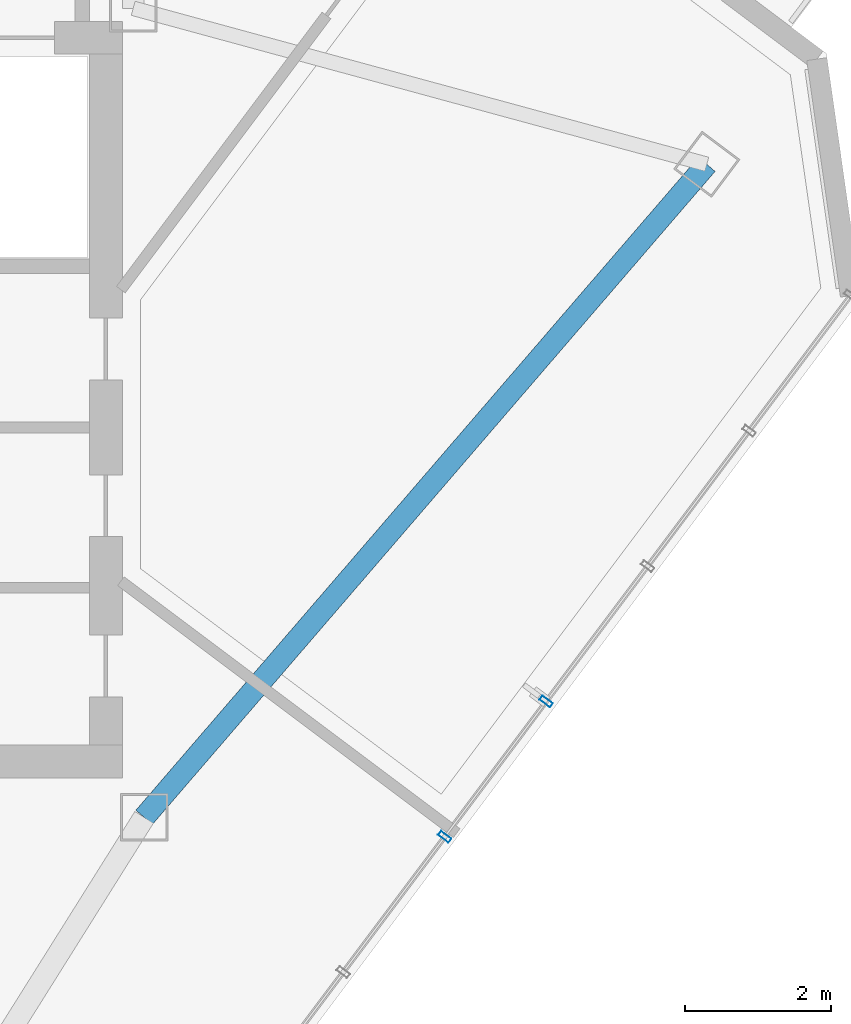
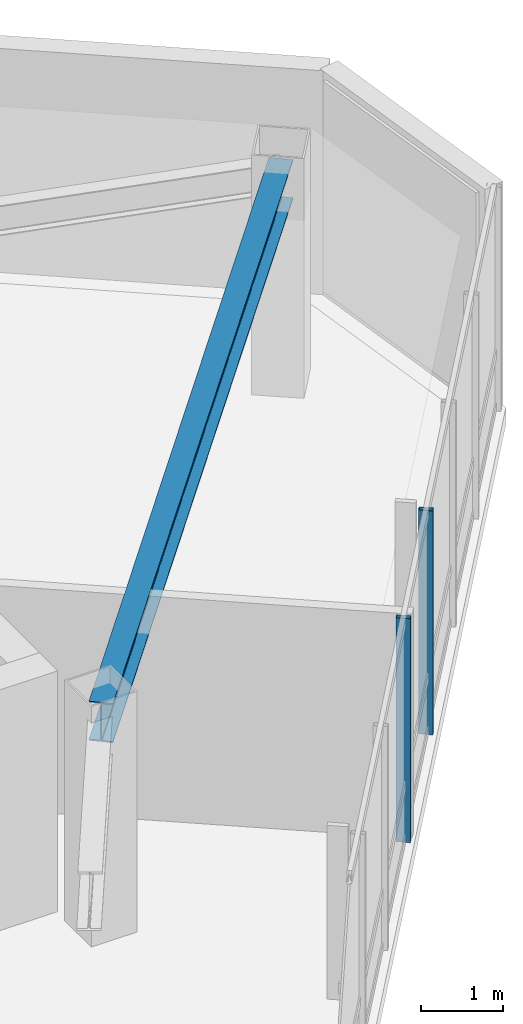
# One storey, part 7 of 18: 2 members, 1 beam, 1 element without a shape of its own.
"""IFC4 building model written with IfcOpenShell, lengths in metres."""

from ifc_helpers import new_model, si_unit, direction, frame, origin, origin_2d, place, context, subcontext, project, spatial, hollow_rectangle, i_section, extrude, material, layer, layer_set, material_profile, profile_set, type_object, element, aggregate, save


model = new_model("IFC4")

# Units and contexts
model_context = context("Model", 3, precision=1e-05, world=origin(), true_north=direction((0.0, 1.0)))
body_context = subcontext(model_context, "Body", "Model", "MODEL_VIEW")
ifc_project = project(units=[si_unit("LENGTHUNIT", "METRE"), si_unit("AREAUNIT", "SQUARE_METRE"), si_unit("VOLUMEUNIT", "CUBIC_METRE"), si_unit("PLANEANGLEUNIT", "RADIAN"), si_unit("MASSUNIT", "GRAM", prefix="KILO")], contexts=[model_context])

# Site, building, storey
site_placement = place(None, origin())
site = spatial("IfcSite", under=ifc_project, at=site_placement, CompositionType="ELEMENT")
building_placement = place(site_placement, origin())
building = spatial("IfcBuilding", under=site, at=building_placement, Name="Hatsunagi Terrace Concourse", CompositionType="ELEMENT")
storey_placement = place(building_placement, frame((0.0, 0.0, 250.35009765625)))
storey = spatial("IfcBuildingStorey", under=building, at=storey_placement, Name="L66", CompositionType="ELEMENT", Elevation=250.35009765625)

# Curtain wall, members
ifc_material_1 = material(Name="Anodised Aluminium Alloy 6063-T5", Category="aluminium")
ifc_layer = layer(ifc_material_1, 0.199951171875)
ifc_layer_set = layer_set([ifc_layer], Name="OfficeZone2_CW04")
curtain_wall_type = type_object("IfcCurtainWallType", Name="OfficeZone2_CW04", PredefinedType="NOTDEFINED", material=ifc_layer_set)
curtain_wall_placement = place(storey_placement, origin())
curtain_wall = element("IfcCurtainWall", 1, at=curtain_wall_placement, inside=storey, type_object=curtain_wall_type, Name="Unitised Curtain Wall CW-04 CW-L66-03", PredefinedType="NOTDEFINED")
ifc_material_2 = material(Name="Anodised Aluminium Alloy 6063-T5", Category="aluminium")
ifc_material_profile_1 = material_profile(ifc_material_2, hollow_rectangle(XDim=0.070068359375, YDim=0.179931640625, WallThickness=0.00390625, at=origin_2d()), Name="ALU-MUL-180x70x4")
ifc_profile_set_1 = profile_set([ifc_material_profile_1], Name="Anodised Aluminium Alloy 6063-T5")
member_type = type_object("IfcMemberType", Name="CurtainWallMullion_180x70", PredefinedType="MULLION", material=ifc_profile_set_1)
member_1_placement = place(storey_placement, frame((49.31591796875, 25.7890625, 0.0), z_axis=(0.0, 0.0, 1.0), x_axis=(-0.599969314634, -0.800023013105, 0.0)))
member_1 = element("IfcMember", 2, at=member_1_placement, type_object=member_type, Name="Curtain Wall Mullion MUL-02", PredefinedType="MULLION", context=body_context, shape_type="SweptSolid", body=[
    extrude(hollow_rectangle(XDim=0.070068359375, YDim=0.179931640625, WallThickness=0.00390625, at=origin_2d()), origin(), (0.0, 0.0, 1.0), 3.349853515625),
])
member_2_placement = place(storey_placement, frame((47.924072265625, 23.931884765625, 0.0), z_axis=(0.0, 0.0, 1.0), x_axis=(-0.599969314634, -0.800023013105, 0.0)))
member_2 = element("IfcMember", 3, at=member_2_placement, type_object=member_type, Name="Curtain Wall Mullion MUL-02", PredefinedType="MULLION", context=body_context, shape_type="SweptSolid", body=[
    extrude(hollow_rectangle(XDim=0.070068359375, YDim=0.179931640625, WallThickness=0.00390625, at=origin_2d()), origin(), (0.0, 0.0, 1.0), 3.349853515625),
])
aggregate(curtain_wall, [member_1, member_2])

# Beam
ifc_material_3 = material(Name="Steel SN490B", Category="steel")
ifc_material_profile_2 = material_profile(ifc_material_3, i_section(OverallWidth=0.300048828125, OverallDepth=0.587890625, WebThickness=0.011962890625, FlangeThickness=0.02001953125, FilletRadius=0.01806640625, at=origin_2d()), Name="H-588x300x12x20")
ifc_profile_set_2 = profile_set([ifc_material_profile_2], Name="Steel SN490B")
beam_type = type_object("IfcBeamType", Name="OfficeHighGirder_H_588x300", PredefinedType="BEAM", material=ifc_profile_set_2)
beam_placement = place(storey_placement, frame((43.800048828125, 24.199951171875, 3.055908203125), z_axis=(0.652739101421, 0.757582777969, 0.0), x_axis=(-0.757582777969, 0.652739101421, 0.0)))
element("IfcBeam", 4, at=beam_placement, inside=storey, type_object=beam_type, Name="Beam G-06 BM-L66-SET-1B", PredefinedType="BEAM", context=body_context, shape_type="SweptSolid", body=[
    extrude(i_section(OverallWidth=0.300048828125, OverallDepth=0.587890625, WebThickness=0.011962890625, FlangeThickness=0.02001953125, FilletRadius=0.01806640625, at=origin_2d()), origin(), (0.0, 0.0, 1.0), 11.8271484375),
])

save(model, "model.ifc")
